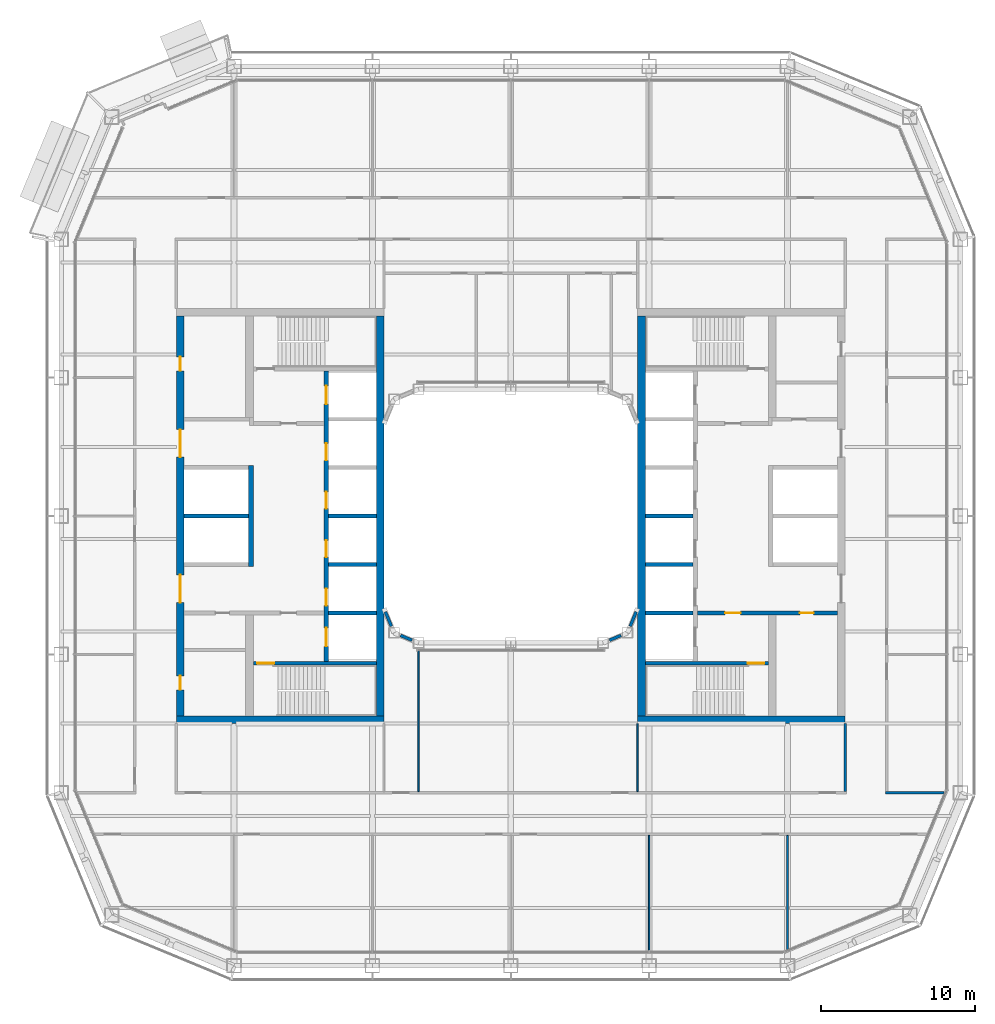
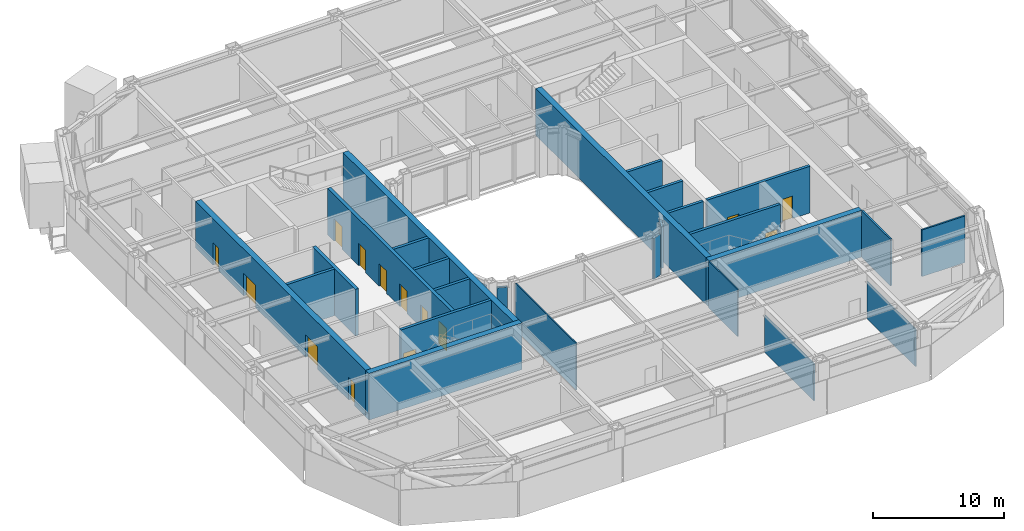
# One storey, part 12 of 23: 27 walls, 14 doors, 14 openings.
"""IFC4 building model written with IfcOpenShell, lengths in metres."""

from ifc_helpers import new_model, si_unit, direction, frame, frame_2d, origin, place, context, subcontext, project, spatial, rectangle, extrude, material, layer, layer_set, type_object, element, fill, save


model = new_model("IFC4")

# Units and contexts
model_context = context("Model", 3, precision=1e-05, world=origin(), true_north=direction((0.0, 1.0)))
body_context = subcontext(model_context, "Body", "Model", "MODEL_VIEW")
ifc_project = project(units=[si_unit("LENGTHUNIT", "METRE"), si_unit("AREAUNIT", "SQUARE_METRE"), si_unit("VOLUMEUNIT", "CUBIC_METRE"), si_unit("PLANEANGLEUNIT", "RADIAN"), si_unit("MASSUNIT", "GRAM", prefix="KILO")], contexts=[model_context])

# Site, building, storey
site_placement = place(None, origin())
site = spatial("IfcSite", under=ifc_project, at=site_placement, CompositionType="ELEMENT")
building_placement = place(site_placement, origin())
building = spatial("IfcBuilding", under=site, at=building_placement, Name="Siwar Civic Tower", CompositionType="ELEMENT")
storey_placement = place(building_placement, frame((0.0, 0.0, 118.199951171875)))
storey = spatial("IfcBuildingStorey", under=building, at=storey_placement, Name="L25", CompositionType="ELEMENT", Elevation=118.199951171875)

# Walls
ifc_material_1 = material(Name="Concrete C60/75", Category="concrete")
ifc_layer_1 = layer(ifc_material_1, 0.25)
ifc_layer_set_1 = layer_set([ifc_layer_1], Name="Concrete C60/75")
wall_type_1 = type_object("IfcWallType", Name="CORE-WALL-RC250", PredefinedType="SHEAR", material=ifc_layer_set_1)
wall_1_placement = place(storey_placement, frame((-17.050048828125, 0.0, 0.0), z_axis=(0.0, 0.0, 1.0), x_axis=(-1.0, 0.0, 0.0)))
element("IfcWall", 1, at=wall_1_placement, inside=storey, type_object=wall_type_1, Name="Core wall W", PredefinedType="SHEAR", context=body_context, shape_type="SweptSolid", body=[
    extrude(rectangle(XDim=4.199951171875, YDim=0.25, at=frame_2d((2.10009765625, 0.0))), origin(), (0.0, 0.0, 1.0), 4.35009765625),
])
for number, where, z_axis, x_axis, name in (
    (2, (-8.75, 0.0, 0.0), (0.0, 0.0, 1.0), (-1.0, 0.0, 0.0), "Core wall W"),
    (3, (-8.75, -3.14990234375, 0.0), (0.0, 0.0, 1.0), (-1.0, 0.0, 0.0), "Core wall W"),
    (4, (-8.75, -6.300048828125, 0.0), (0.0, 0.0, 1.0), (-1.0, 0.0, 0.0), "Core wall W"),
):
    element("IfcWall", number, at=place(storey_placement, frame(where, z_axis=z_axis, x_axis=x_axis)), inside=storey, type_object=wall_type_1, Name=name, PredefinedType="SHEAR", context=body_context, shape_type="SweptSolid", body=[
        extrude(rectangle(XDim=3.10009765625, YDim=0.25, at=frame_2d((1.550048828125, 0.0))), origin(), (0.0, 0.0, 1.0), 4.35009765625),
    ])

# Wall, opening, door
wall_2_placement = place(storey_placement, frame((-8.75, -9.574951171875, 0.0), z_axis=(0.0, 0.0, 1.0), x_axis=(-1.0, 0.0, 0.0)))
wall_2 = element("IfcWall", 5, at=wall_2_placement, inside=storey, type_object=wall_type_1, Name="Core wall W", PredefinedType="SHEAR", context=body_context, shape_type="SweptSolid", body=[
    extrude(rectangle(XDim=8.0, YDim=0.25, at=frame_2d((4.0, 0.0))), origin(), (0.0, 0.0, 1.0), 4.35009765625),
])
opening_1_placement = place(wall_2_placement, frame((6.64990234375, 0.0, 0.0)))
opening_1 = element("IfcOpeningElement", 6, at=opening_1_placement, cuts=wall_2, Name="Opening L25-CW04", PredefinedType="OPENING", context=body_context, shape_type="SweptSolid", body=[
    extrude(rectangle(XDim=1.10009765625, YDim=2.10009765625, at=frame_2d((0.550048828125, 1.050048828125))), frame((0.0, 0.135009765625, 0.0), z_axis=(0.0, -1.0, 0.0), x_axis=(1.0, 0.0, 0.0)), (0.0, 0.0, 1.0), 0.27001953125),
])
ifc_material_2 = material(Name="Steel door leaf", Category="steel")
door_type_1 = type_object("IfcDoorType", Name="CORE-DOOR-FD60S", OperationType="SINGLE_SWING_LEFT", PredefinedType="DOOR", material=ifc_material_2)
door_1_placement = place(opening_1_placement, origin())
door_1 = element("IfcDoor", 7, at=door_1_placement, inside=storey, type_object=door_type_1, Name="Stair door L25-CW04", OperationType="SINGLE_SWING_LEFT", OverallHeight=2.10009765625, OverallWidth=1.10009765625, PredefinedType="DOOR", context=body_context, shape_type="SweptSolid", body=[
    extrude(rectangle(XDim=1.10009765625, YDim=2.10009765625, at=frame_2d((0.550048828125, 1.050048828125))), frame((0.0, 0.02490234375, 0.0), z_axis=(0.0, -1.0, 0.0), x_axis=(1.0, 0.0, 0.0)), (0.0, 0.0, 1.0), 0.050048828125),
])
fill(opening_1, door_1)

# Wall, openings, doors
wall_3_placement = place(storey_placement, frame((12.14990234375, -6.300048828125, 0.0), z_axis=(0.0, 0.0, 1.0), x_axis=(1.0, 0.0, 0.0)))
wall_3 = element("IfcWall", 8, at=wall_3_placement, inside=storey, type_object=wall_type_1, Name="Core wall E", PredefinedType="SHEAR", context=body_context, shape_type="SweptSolid", body=[
    extrude(rectangle(XDim=9.10009765625, YDim=0.25, at=frame_2d((4.550048828125, 0.0))), origin(), (0.0, 0.0, 1.0), 4.35009765625),
])
opening_2_placement = place(wall_3_placement, frame((1.800048828125, 0.0, 0.0)))
opening_2 = element("IfcOpeningElement", 9, at=opening_2_placement, cuts=wall_3, Name="Opening L25-CE02", PredefinedType="OPENING", context=body_context, shape_type="SweptSolid", body=[
    extrude(rectangle(XDim=1.0, YDim=2.10009765625, at=frame_2d((0.5, 1.050048828125))), frame((0.0, 0.135009765625, 0.0), z_axis=(0.0, -1.0, 0.0), x_axis=(1.0, 0.0, 0.0)), (0.0, 0.0, 1.0), 0.27001953125),
])
opening_3_placement = place(wall_3_placement, frame((6.64990234375, 0.0, 0.0)))
opening_3 = element("IfcOpeningElement", 10, at=opening_3_placement, cuts=wall_3, Name="Opening L25-CE15", PredefinedType="OPENING", context=body_context, shape_type="SweptSolid", body=[
    extrude(rectangle(XDim=0.89990234375, YDim=2.10009765625, at=frame_2d((0.449951171875, 1.050048828125))), frame((0.0, 0.135009765625, 0.0), z_axis=(0.0, -1.0, 0.0), x_axis=(1.0, 0.0, 0.0)), (0.0, 0.0, 1.0), 0.27001953125),
])
ifc_material_3 = material(Name="Steel door leaf", Category="steel")
door_type_2 = type_object("IfcDoorType", Name="CORE-DOOR-FD30S", OperationType="SINGLE_SWING_LEFT", PredefinedType="DOOR", material=ifc_material_3)
door_2_placement = place(opening_2_placement, origin())
door_2 = element("IfcDoor", 11, at=door_2_placement, inside=storey, type_object=door_type_2, Name="Service lobby door L25-CE02", OperationType="SINGLE_SWING_LEFT", OverallHeight=2.10009765625, OverallWidth=1.0, PredefinedType="DOOR", context=body_context, shape_type="SweptSolid", body=[
    extrude(rectangle(XDim=1.0, YDim=2.10009765625, at=frame_2d((0.5, 1.050048828125))), frame((0.0, 0.02490234375, 0.0), z_axis=(0.0, -1.0, 0.0), x_axis=(1.0, 0.0, 0.0)), (0.0, 0.0, 1.0), 0.050048828125),
])
fill(opening_2, door_2)
ifc_material_4 = material(Name="Steel door leaf", Category="steel")
door_type_3 = type_object("IfcDoorType", Name="CORE-DOOR-ROOM", OperationType="SINGLE_SWING_LEFT", PredefinedType="DOOR", material=ifc_material_4)
door_3_placement = place(opening_3_placement, origin())
door_3 = element("IfcDoor", 12, at=door_3_placement, inside=storey, type_object=door_type_3, Name="Core room door L25-CE15", OperationType="SINGLE_SWING_LEFT", OverallHeight=2.10009765625, OverallWidth=0.89990234375, PredefinedType="DOOR", context=body_context, shape_type="SweptSolid", body=[
    extrude(rectangle(XDim=0.89990234375, YDim=2.10009765625, at=frame_2d((0.449951171875, 1.050048828125))), frame((0.0, 0.02490234375, 0.0), z_axis=(0.0, -1.0, 0.0), x_axis=(1.0, 0.0, 0.0)), (0.0, 0.0, 1.0), 0.050048828125),
])
fill(opening_3, door_3)

# Walls
for number, where, z_axis, x_axis, name in (
    (13, (8.75, 0.0, 0.0), (0.0, 0.0, 1.0), (1.0, 0.0, 0.0), "Core wall E"),
    (14, (8.75, -3.14990234375, 0.0), (0.0, 0.0, 1.0), (1.0, 0.0, 0.0), "Core wall E"),
    (15, (8.75, -6.300048828125, 0.0), (0.0, 0.0, 1.0), (1.0, 0.0, 0.0), "Core wall E"),
):
    element("IfcWall", number, at=place(storey_placement, frame(where, z_axis=z_axis, x_axis=x_axis)), inside=storey, type_object=wall_type_1, Name=name, PredefinedType="SHEAR", context=body_context, shape_type="SweptSolid", body=[
        extrude(rectangle(XDim=3.10009765625, YDim=0.25, at=frame_2d((1.550048828125, 0.0))), origin(), (0.0, 0.0, 1.0), 4.35009765625),
    ])

# Wall, opening, door
wall_4_placement = place(storey_placement, frame((8.75, -9.574951171875, 0.0), z_axis=(0.0, 0.0, 1.0), x_axis=(1.0, 0.0, 0.0)))
wall_4 = element("IfcWall", 16, at=wall_4_placement, inside=storey, type_object=wall_type_1, Name="Core wall E", PredefinedType="SHEAR", context=body_context, shape_type="SweptSolid", body=[
    extrude(rectangle(XDim=8.0, YDim=0.25, at=frame_2d((4.0, 0.0))), origin(), (0.0, 0.0, 1.0), 4.35009765625),
])
opening_4_placement = place(wall_4_placement, frame((6.64990234375, 0.0, 0.0)))
opening_4 = element("IfcOpeningElement", 17, at=opening_4_placement, cuts=wall_4, Name="Opening L25-CE04", PredefinedType="OPENING", context=body_context, shape_type="SweptSolid", body=[
    extrude(rectangle(XDim=1.10009765625, YDim=2.10009765625, at=frame_2d((0.550048828125, 1.050048828125))), frame((0.0, 0.135009765625, 0.0), z_axis=(0.0, -1.0, 0.0), x_axis=(1.0, 0.0, 0.0)), (0.0, 0.0, 1.0), 0.27001953125),
])
door_4_placement = place(opening_4_placement, origin())
door_4 = element("IfcDoor", 18, at=door_4_placement, inside=storey, type_object=door_type_1, Name="Stair door L25-CE04", OperationType="SINGLE_SWING_RIGHT", OverallHeight=2.10009765625, OverallWidth=1.10009765625, PredefinedType="DOOR", context=body_context, shape_type="SweptSolid", body=[
    extrude(rectangle(XDim=1.10009765625, YDim=2.10009765625, at=frame_2d((0.550048828125, 1.050048828125))), frame((0.0, 0.02490234375, 0.0), z_axis=(0.0, -1.0, 0.0), x_axis=(1.0, 0.0, 0.0)), (0.0, 0.0, 1.0), 0.050048828125),
])
fill(opening_4, door_4)

# Wall, openings, doors
ifc_material_5 = material(Name="Concrete C60/75", Category="concrete")
ifc_layer_2 = layer(ifc_material_5, 0.300048828125)
ifc_layer_set_2 = layer_set([ifc_layer_2], Name="Concrete C60/75")
wall_type_2 = type_object("IfcWallType", Name="CORE-WALL-RC300", PredefinedType="SHEAR", material=ifc_layer_set_2)
wall_5_placement = place(storey_placement, frame((-12.0, -9.449951171875, 0.0), z_axis=(0.0, 0.0, 1.0), x_axis=(0.0, 1.0, 0.0)))
wall_5 = element("IfcWall", 19, at=wall_5_placement, inside=storey, type_object=wall_type_2, Name="Core wall W", PredefinedType="SHEAR", context=body_context, shape_type="SweptSolid", body=[
    extrude(rectangle(XDim=18.89990234375, YDim=0.300048828125, at=frame_2d((9.449951171875, 0.0))), origin(), (0.0, 0.0, 1.0), 4.35009765625),
])
opening_5_placement = place(wall_5_placement, frame((3.625, 0.0, 0.0)))
opening_5 = element("IfcOpeningElement", 20, at=opening_5_placement, cuts=wall_5, Name="Opening L25-CW07", PredefinedType="OPENING", context=body_context, shape_type="SweptSolid", body=[
    extrude(rectangle(XDim=1.10009765625, YDim=2.10009765625, at=frame_2d((0.550048828125, 1.050048828125))), frame((0.0, 0.16015625, 0.0), z_axis=(0.0, -1.0, 0.0), x_axis=(1.0, 0.0, 0.0)), (0.0, 0.0, 1.0), 0.320068359375),
])
opening_6_placement = place(wall_5_placement, frame((6.77490234375, 0.0, 0.0)))
opening_6 = element("IfcOpeningElement", 21, at=opening_6_placement, cuts=wall_5, Name="Opening L25-CW08", PredefinedType="OPENING", context=body_context, shape_type="SweptSolid", body=[
    extrude(rectangle(XDim=1.10009765625, YDim=2.10009765625, at=frame_2d((0.550048828125, 1.050048828125))), frame((0.0, 0.16015625, 0.0), z_axis=(0.0, -1.0, 0.0), x_axis=(1.0, 0.0, 0.0)), (0.0, 0.0, 1.0), 0.320068359375),
])
opening_7_placement = place(wall_5_placement, frame((9.925048828125, 0.0, 0.0)))
opening_7 = element("IfcOpeningElement", 22, at=opening_7_placement, cuts=wall_5, Name="Opening L25-CW09", PredefinedType="OPENING", context=body_context, shape_type="SweptSolid", body=[
    extrude(rectangle(XDim=1.10009765625, YDim=2.10009765625, at=frame_2d((0.550048828125, 1.050048828125))), frame((0.0, 0.16015625, 0.0), z_axis=(0.0, -1.0, 0.0), x_axis=(1.0, 0.0, 0.0)), (0.0, 0.0, 1.0), 0.320068359375),
])
opening_8_placement = place(wall_5_placement, frame((13.074951171875, 0.0, 0.0)))
opening_8 = element("IfcOpeningElement", 23, at=opening_8_placement, cuts=wall_5, Name="Opening L25-CW10", PredefinedType="OPENING", context=body_context, shape_type="SweptSolid", body=[
    extrude(rectangle(XDim=1.10009765625, YDim=2.10009765625, at=frame_2d((0.550048828125, 1.050048828125))), frame((0.0, 0.16015625, 0.0), z_axis=(0.0, -1.0, 0.0), x_axis=(1.0, 0.0, 0.0)), (0.0, 0.0, 1.0), 0.320068359375),
])
opening_9_placement = place(wall_5_placement, frame((16.72509765625, 0.0, 0.0)))
opening_9 = element("IfcOpeningElement", 24, at=opening_9_placement, cuts=wall_5, Name="Opening L25-CW11", PredefinedType="OPENING", context=body_context, shape_type="SweptSolid", body=[
    extrude(rectangle(XDim=1.199951171875, YDim=2.10009765625, at=frame_2d((0.60009765625, 1.050048828125))), frame((0.0, 0.16015625, 0.0), z_axis=(0.0, -1.0, 0.0), x_axis=(1.0, 0.0, 0.0)), (0.0, 0.0, 1.0), 0.320068359375),
])
opening_10_placement = place(wall_5_placement, frame((0.97509765625, 0.0, 0.0)))
opening_10 = element("IfcOpeningElement", 25, at=opening_10_placement, cuts=wall_5, Name="Opening L25-CW12", PredefinedType="OPENING", context=body_context, shape_type="SweptSolid", body=[
    extrude(rectangle(XDim=1.199951171875, YDim=2.10009765625, at=frame_2d((0.60009765625, 1.050048828125))), frame((0.0, 0.16015625, 0.0), z_axis=(0.0, -1.0, 0.0), x_axis=(1.0, 0.0, 0.0)), (0.0, 0.0, 1.0), 0.320068359375),
])
ifc_material_6 = material(Name="Steel door leaf", Category="steel")
door_type_4 = type_object("IfcDoorType", Name="CORE-DOOR-LD", OperationType="DOUBLE_DOOR_SLIDING", PredefinedType="DOOR", material=ifc_material_6)
door_5_placement = place(opening_5_placement, origin())
door_5 = element("IfcDoor", 26, at=door_5_placement, inside=storey, type_object=door_type_4, Name="Landing door LR1 L25-CW07", OperationType="DOUBLE_DOOR_SLIDING", OverallHeight=2.10009765625, OverallWidth=1.10009765625, PredefinedType="DOOR", context=body_context, shape_type="SweptSolid", body=[
    extrude(rectangle(XDim=1.10009765625, YDim=2.10009765625, at=frame_2d((0.550048828125, 1.050048828125))), frame((0.0, 0.02490234375, 0.0), z_axis=(0.0, -1.0, 0.0), x_axis=(1.0, 0.0, 0.0)), (0.0, 0.0, 1.0), 0.050048828125),
])
fill(opening_5, door_5)
door_6_placement = place(opening_6_placement, origin())
door_6 = element("IfcDoor", 27, at=door_6_placement, inside=storey, type_object=door_type_4, Name="Landing door LR2 L25-CW08", OperationType="DOUBLE_DOOR_SLIDING", OverallHeight=2.10009765625, OverallWidth=1.10009765625, PredefinedType="DOOR", context=body_context, shape_type="SweptSolid", body=[
    extrude(rectangle(XDim=1.10009765625, YDim=2.10009765625, at=frame_2d((0.550048828125, 1.050048828125))), frame((0.0, 0.02490234375, 0.0), z_axis=(0.0, -1.0, 0.0), x_axis=(1.0, 0.0, 0.0)), (0.0, 0.0, 1.0), 0.050048828125),
])
fill(opening_6, door_6)
door_7_placement = place(opening_7_placement, origin())
door_7 = element("IfcDoor", 28, at=door_7_placement, inside=storey, type_object=door_type_4, Name="Landing door LR3 L25-CW09", OperationType="DOUBLE_DOOR_SLIDING", OverallHeight=2.10009765625, OverallWidth=1.10009765625, PredefinedType="DOOR", context=body_context, shape_type="SweptSolid", body=[
    extrude(rectangle(XDim=1.10009765625, YDim=2.10009765625, at=frame_2d((0.550048828125, 1.050048828125))), frame((0.0, 0.02490234375, 0.0), z_axis=(0.0, -1.0, 0.0), x_axis=(1.0, 0.0, 0.0)), (0.0, 0.0, 1.0), 0.050048828125),
])
fill(opening_7, door_7)
door_8_placement = place(opening_8_placement, origin())
door_8 = element("IfcDoor", 29, at=door_8_placement, inside=storey, type_object=door_type_4, Name="Landing door LR4 L25-CW10", OperationType="DOUBLE_DOOR_SLIDING", OverallHeight=2.10009765625, OverallWidth=1.10009765625, PredefinedType="DOOR", context=body_context, shape_type="SweptSolid", body=[
    extrude(rectangle(XDim=1.10009765625, YDim=2.10009765625, at=frame_2d((0.550048828125, 1.050048828125))), frame((0.0, 0.02490234375, 0.0), z_axis=(0.0, -1.0, 0.0), x_axis=(1.0, 0.0, 0.0)), (0.0, 0.0, 1.0), 0.050048828125),
])
fill(opening_8, door_8)
ifc_material_7 = material(Name="Steel door leaf", Category="steel")
door_type_5 = type_object("IfcDoorType", Name="CORE-DOOR-LDW", OperationType="DOUBLE_DOOR_SLIDING", PredefinedType="DOOR", material=ifc_material_7)
door_9_placement = place(opening_9_placement, origin())
door_9 = element("IfcDoor", 30, at=door_9_placement, inside=storey, type_object=door_type_5, Name="Landing door FF1 L25-CW11", OperationType="DOUBLE_DOOR_SLIDING", OverallHeight=2.10009765625, OverallWidth=1.199951171875, PredefinedType="DOOR", context=body_context, shape_type="SweptSolid", body=[
    extrude(rectangle(XDim=1.199951171875, YDim=2.10009765625, at=frame_2d((0.60009765625, 1.050048828125))), frame((0.0, 0.02490234375, 0.0), z_axis=(0.0, -1.0, 0.0), x_axis=(1.0, 0.0, 0.0)), (0.0, 0.0, 1.0), 0.050048828125),
])
fill(opening_9, door_9)
door_10_placement = place(opening_10_placement, origin())
door_10 = element("IfcDoor", 31, at=door_10_placement, inside=storey, type_object=door_type_5, Name="Landing door SV1 L25-CW12", OperationType="DOUBLE_DOOR_SLIDING", OverallHeight=2.10009765625, OverallWidth=1.199951171875, PredefinedType="DOOR", context=body_context, shape_type="SweptSolid", body=[
    extrude(rectangle(XDim=1.199951171875, YDim=2.10009765625, at=frame_2d((0.60009765625, 1.050048828125))), frame((0.0, 0.02490234375, 0.0), z_axis=(0.0, -1.0, 0.0), x_axis=(1.0, 0.0, 0.0)), (0.0, 0.0, 1.0), 0.050048828125),
])
fill(opening_10, door_10)

# Wall
wall_6_placement = place(storey_placement, frame((-16.89990234375, -3.27490234375, 0.0), z_axis=(0.0, 0.0, 1.0), x_axis=(0.0, 1.0, 0.0)))
element("IfcWall", 32, at=wall_6_placement, inside=storey, type_object=wall_type_2, Name="Core wall W", PredefinedType="SHEAR", context=body_context, shape_type="SweptSolid", body=[
    extrude(rectangle(XDim=6.5498046875, YDim=0.300048828125, at=frame_2d((3.27490234375, 0.0))), origin(), (0.0, 0.0, 1.0), 4.35009765625),
])

# Wall, openings, doors
ifc_material_8 = material(Name="Concrete C60/75", Category="concrete")
ifc_layer_3 = layer(ifc_material_8, 0.5)
ifc_layer_set_3 = layer_set([ifc_layer_3], Name="Concrete C60/75")
wall_type_3 = type_object("IfcWallType", Name="CORE-WALL-RC500", PredefinedType="SHEAR", material=ifc_layer_set_3)
wall_7_placement = place(storey_placement, frame((-21.5, -13.0, 0.0), z_axis=(0.0, 0.0, 1.0), x_axis=(0.0, 1.0, 0.0)))
wall_7 = element("IfcWall", 33, at=wall_7_placement, inside=storey, type_object=wall_type_3, Name="Core wall W", PredefinedType="SHEAR", context=body_context, shape_type="SweptSolid", body=[
    extrude(rectangle(XDim=26.0, YDim=0.5, at=frame_2d((13.0, 0.0))), origin(), (0.0, 0.0, 1.0), 4.35009765625),
])
opening_11_placement = place(wall_7_placement, frame((16.824951171875, 0.0, 0.0)))
opening_11 = element("IfcOpeningElement", 34, at=opening_11_placement, cuts=wall_7, Name="Opening L25-CW05", PredefinedType="OPENING", context=body_context, shape_type="SweptSolid", body=[
    extrude(rectangle(XDim=1.800048828125, YDim=2.10009765625, at=frame_2d((0.89990234375, 1.050048828125))), frame((0.0, 0.260009765625, 0.0), z_axis=(0.0, -1.0, 0.0), x_axis=(1.0, 0.0, 0.0)), (0.0, 0.0, 1.0), 0.52001953125),
])
opening_12_placement = place(wall_7_placement, frame((7.375, 0.0, 0.0)))
opening_12 = element("IfcOpeningElement", 35, at=opening_12_placement, cuts=wall_7, Name="Opening L25-CW06", PredefinedType="OPENING", context=body_context, shape_type="SweptSolid", body=[
    extrude(rectangle(XDim=1.800048828125, YDim=2.10009765625, at=frame_2d((0.89990234375, 1.050048828125))), frame((0.0, 0.260009765625, 0.0), z_axis=(0.0, -1.0, 0.0), x_axis=(1.0, 0.0, 0.0)), (0.0, 0.0, 1.0), 0.52001953125),
])
opening_13_placement = place(wall_7_placement, frame((22.449951171875, 0.0, 0.0)))
opening_13 = element("IfcOpeningElement", 36, at=opening_13_placement, cuts=wall_7, Name="Opening L25-CW13", PredefinedType="OPENING", context=body_context, shape_type="SweptSolid", body=[
    extrude(rectangle(XDim=0.89990234375, YDim=2.10009765625, at=frame_2d((0.449951171875, 1.050048828125))), frame((0.0, 0.260009765625, 0.0), z_axis=(0.0, -1.0, 0.0), x_axis=(1.0, 0.0, 0.0)), (0.0, 0.0, 1.0), 0.52001953125),
])
opening_14_placement = place(wall_7_placement, frame((1.699951171875, 0.0, 0.0)))
opening_14 = element("IfcOpeningElement", 37, at=opening_14_placement, cuts=wall_7, Name="Opening L25-CW15", PredefinedType="OPENING", context=body_context, shape_type="SweptSolid", body=[
    extrude(rectangle(XDim=0.89990234375, YDim=2.10009765625, at=frame_2d((0.449951171875, 1.050048828125))), frame((0.0, 0.260009765625, 0.0), z_axis=(0.0, -1.0, 0.0), x_axis=(1.0, 0.0, 0.0)), (0.0, 0.0, 1.0), 0.52001953125),
])
ifc_material_9 = material(Name="Steel door leaf", Category="steel")
door_type_6 = type_object("IfcDoorType", Name="CORE-DOOR-PORT", OperationType="DOUBLE_DOOR_DOUBLE_SWING", PredefinedType="DOOR", material=ifc_material_9)
door_11_placement = place(opening_11_placement, origin())
door_11 = element("IfcDoor", 38, at=door_11_placement, inside=storey, type_object=door_type_6, Name="Core entrance door L25-CW05", OperationType="DOUBLE_DOOR_DOUBLE_SWING", OverallHeight=2.10009765625, OverallWidth=1.800048828125, PredefinedType="DOOR", context=body_context, shape_type="SweptSolid", body=[
    extrude(rectangle(XDim=1.800048828125, YDim=2.10009765625, at=frame_2d((0.89990234375, 1.050048828125))), frame((0.0, 0.02490234375, 0.0), z_axis=(0.0, -1.0, 0.0), x_axis=(1.0, 0.0, 0.0)), (0.0, 0.0, 1.0), 0.050048828125),
])
fill(opening_11, door_11)
door_12_placement = place(opening_12_placement, origin())
door_12 = element("IfcDoor", 39, at=door_12_placement, inside=storey, type_object=door_type_6, Name="Core entrance door L25-CW06", OperationType="DOUBLE_DOOR_DOUBLE_SWING", OverallHeight=2.10009765625, OverallWidth=1.800048828125, PredefinedType="DOOR", context=body_context, shape_type="SweptSolid", body=[
    extrude(rectangle(XDim=1.800048828125, YDim=2.10009765625, at=frame_2d((0.89990234375, 1.050048828125))), frame((0.0, 0.02490234375, 0.0), z_axis=(0.0, -1.0, 0.0), x_axis=(1.0, 0.0, 0.0)), (0.0, 0.0, 1.0), 0.050048828125),
])
fill(opening_12, door_12)
door_13_placement = place(opening_13_placement, origin())
door_13 = element("IfcDoor", 40, at=door_13_placement, inside=storey, type_object=door_type_3, Name="Core room door L25-CW13", OperationType="SINGLE_SWING_RIGHT", OverallHeight=2.10009765625, OverallWidth=0.89990234375, PredefinedType="DOOR", context=body_context, shape_type="SweptSolid", body=[
    extrude(rectangle(XDim=0.89990234375, YDim=2.10009765625, at=frame_2d((0.449951171875, 1.050048828125))), frame((0.0, 0.02490234375, 0.0), z_axis=(0.0, -1.0, 0.0), x_axis=(1.0, 0.0, 0.0)), (0.0, 0.0, 1.0), 0.050048828125),
])
fill(opening_13, door_13)
door_14_placement = place(opening_14_placement, origin())
door_14 = element("IfcDoor", 41, at=door_14_placement, inside=storey, type_object=door_type_3, Name="Core room door L25-CW15", OperationType="SINGLE_SWING_RIGHT", OverallHeight=2.10009765625, OverallWidth=0.89990234375, PredefinedType="DOOR", context=body_context, shape_type="SweptSolid", body=[
    extrude(rectangle(XDim=0.89990234375, YDim=2.10009765625, at=frame_2d((0.449951171875, 1.050048828125))), frame((0.0, 0.02490234375, 0.0), z_axis=(0.0, -1.0, 0.0), x_axis=(1.0, 0.0, 0.0)), (0.0, 0.0, 1.0), 0.050048828125),
])
fill(opening_14, door_14)

# Walls
for number, where, z_axis, x_axis, name in (
    (42, (-8.25, -13.25, 0.0), (0.0, 0.0, 1.0), (-1.0, 0.0, 0.0), "Core wall W"),
    (43, (8.25, -13.25, 0.0), (0.0, 0.0, 1.0), (1.0, 0.0, 0.0), "Core wall E"),
):
    element("IfcWall", number, at=place(storey_placement, frame(where, z_axis=z_axis, x_axis=x_axis)), inside=storey, type_object=wall_type_3, Name=name, PredefinedType="SHEAR", context=body_context, shape_type="SweptSolid", body=[
        extrude(rectangle(XDim=13.5, YDim=0.5, at=frame_2d((6.75, 0.0))), origin(), (0.0, 0.0, 1.0), 4.35009765625),
    ])
ifc_material_10 = material(Name="Concrete C60/75", Category="concrete")
ifc_layer_4 = layer(ifc_material_10, 0.5)
ifc_layer_set_4 = layer_set([ifc_layer_4], Name="Concrete C60/75")
wall_type_4 = type_object("IfcWallType", Name="CORE-WALL-RC500-EXT", PredefinedType="SHEAR", material=ifc_layer_set_4)
for number, where, z_axis, x_axis, name in (
    (44, (-8.5, -13.0, 0.0), (0.0, 0.0, 1.0), (0.0, 1.0, 0.0), "Core wall W"),
    (45, (8.5, -13.0, 0.0), (0.0, 0.0, 1.0), (0.0, 1.0, 0.0), "Core wall E"),
):
    element("IfcWall", number, at=place(storey_placement, frame(where, z_axis=z_axis, x_axis=x_axis)), inside=storey, type_object=wall_type_4, Name=name, PredefinedType="SHEAR", context=body_context, shape_type="SweptSolid", body=[
        extrude(rectangle(XDim=26.0, YDim=0.5, at=frame_2d((13.0, 0.0))), origin(), (0.0, 0.0, 1.0), 4.35009765625),
    ])
ifc_material_11 = material(Name="Gypsum board on steel studs", Category="steel")
ifc_layer_5 = layer(ifc_material_11, 0.14990234375)
ifc_layer_set_5 = layer_set([ifc_layer_5], Name="Gypsum board on steel studs")
wall_type_5 = type_object("IfcWallType", Name="CORRIDOR PARTITION 150 EI 30", PredefinedType="PARTITIONING", material=ifc_layer_set_5)
wall_8_placement = place(storey_placement, frame((24.375, -18.0, 0.0), z_axis=(0.0, 0.0, 1.0), x_axis=(1.0, 0.0, 0.0)))
element("IfcWall", 46, at=wall_8_placement, inside=storey, type_object=wall_type_5, Name="L25/wall/P04", PredefinedType="PARTITIONING", context=body_context, shape_type="SweptSolid", body=[
    extrude(rectangle(XDim=3.802978515625, YDim=0.14990234375, at=frame_2d((1.9013671875, 0.0))), origin(), (0.0, 0.0, 1.0), 4.35009765625),
])
wall_9_placement = place(storey_placement, frame((21.75, -17.925048828125, 0.0), z_axis=(0.0, 0.0, 1.0), x_axis=(0.0, 1.0, 0.0)))
element("IfcWall", 47, at=wall_9_placement, inside=storey, type_object=wall_type_5, Name="L25/wall/P39", PredefinedType="PARTITIONING", context=body_context, shape_type="SweptSolid", body=[
    extrude(rectangle(XDim=4.425048828125, YDim=0.14990234375, at=frame_2d((2.21240234375, 0.0))), origin(), (0.0, 0.0, 1.0), 4.35009765625),
])
ifc_material_12 = material(Name="Aluminium clad insulated panel", Category="aluminium")
ifc_layer_6 = layer(ifc_material_12, 0.199951171875)
ifc_layer_set_6 = layer_set([ifc_layer_6], Name="Aluminium clad insulated panel")
wall_type_6 = type_object("IfcWallType", Name="ENV-WALL-WELL", PredefinedType="STANDARD", material=ifc_layer_set_6)
wall_10_placement = place(storey_placement, frame((6.422607421875, -8.074951171875, 0.0), z_axis=(0.0, 0.0, 1.0), x_axis=(0.923817771127, 0.382832503518, 0.0)))
element("IfcWall", 48, at=wall_10_placement, inside=storey, type_object=wall_type_6, Name="Light well corner wall SE1", PredefinedType="STANDARD", context=body_context, shape_type="SweptSolid", body=[
    extrude(rectangle(XDim=0.807373046875, YDim=0.199951171875, at=frame_2d((0.40380859375, 0.0))), origin(), (0.0, 0.0, 1.0), 3.825927734375),
])
for number, where, z_axis, x_axis, name in (
    (49, (7.765869140625, -7.16845703125, 0.0), (0.0, 0.0, 1.0), (0.382769662028, 0.923843810301, 0.0), "Light well corner wall SE2"),
    (50, (-8.154296875, -6.23095703125, 0.0), (0.0, 0.0, 1.0), (0.382769662028, -0.923843810301, 0.0), "Light well corner wall SW1"),
):
    element("IfcWall", number, at=place(storey_placement, frame(where, z_axis=z_axis, x_axis=x_axis)), inside=storey, type_object=wall_type_6, Name=name, PredefinedType="STANDARD", context=body_context, shape_type="SweptSolid", body=[
        extrude(rectangle(XDim=1.014892578125, YDim=0.199951171875, at=frame_2d((0.50732421875, 0.0))), origin(), (0.0, 0.0, 1.0), 3.825927734375),
    ])
wall_11_placement = place(storey_placement, frame((-7.16845703125, -7.765869140625, 0.0), z_axis=(0.0, 0.0, 1.0), x_axis=(0.923817771127, -0.382832503518, 0.0)))
element("IfcWall", 51, at=wall_11_placement, inside=storey, type_object=wall_type_6, Name="Light well corner wall SW2", PredefinedType="STANDARD", context=body_context, shape_type="SweptSolid", body=[
    extrude(rectangle(XDim=0.807373046875, YDim=0.199951171875, at=frame_2d((0.40380859375, 0.0))), origin(), (0.0, 0.0, 1.0), 3.825927734375),
])
ifc_material_13 = material(Name="Gypsum board on steel studs", Category="steel")
ifc_layer_7 = layer(ifc_material_13, 0.10009765625)
ifc_layer_set_7 = layer_set([ifc_layer_7], Name="Gypsum board on steel studs")
wall_type_7 = type_object("IfcWallType", Name="PARTITION 100 GYPSUM", PredefinedType="PARTITIONING", material=ifc_layer_set_7)
wall_12_placement = place(storey_placement, frame((-6.0, -17.925048828125, 0.0), z_axis=(0.0, 0.0, 1.0), x_axis=(0.0, 1.0, 0.0)))
element("IfcWall", 52, at=wall_12_placement, inside=storey, type_object=wall_type_7, Name="L25/wall/P26", PredefinedType="PARTITIONING", context=body_context, shape_type="SweptSolid", body=[
    extrude(rectangle(XDim=9.275146484375, YDim=0.10009765625, at=frame_2d((4.6376953125, 0.0))), origin(), (0.0, 0.0, 1.0), 4.35009765625),
])
wall_13_placement = place(storey_placement, frame((8.25, -17.925048828125, 0.0), z_axis=(0.0, 0.0, 1.0), x_axis=(0.0, 1.0, 0.0)))
element("IfcWall", 53, at=wall_13_placement, inside=storey, type_object=wall_type_7, Name="L25/wall/P32", PredefinedType="PARTITIONING", context=body_context, shape_type="SweptSolid", body=[
    extrude(rectangle(XDim=4.425048828125, YDim=0.10009765625, at=frame_2d((2.21240234375, 0.0))), origin(), (0.0, 0.0, 1.0), 4.35009765625),
])
wall_14_placement = place(storey_placement, frame((9.0, -28.260009765625, 0.0), z_axis=(0.0, 0.0, 1.0), x_axis=(0.0, 1.0, 0.0)))
element("IfcWall", 54, at=wall_14_placement, inside=storey, type_object=wall_type_7, Name="L25/wall/P35", PredefinedType="PARTITIONING", context=body_context, shape_type="SweptSolid", body=[
    extrude(rectangle(XDim=7.485107421875, YDim=0.10009765625, at=frame_2d((3.74267578125, 0.0))), origin(), (0.0, 0.0, 1.0), 3.449951171875),
])
wall_15_placement = place(storey_placement, frame((18.0, -28.177978515625, 0.0), z_axis=(0.0, 0.0, 1.0), x_axis=(0.0, 1.0, 0.0)))
element("IfcWall", 55, at=wall_15_placement, inside=storey, type_object=wall_type_7, Name="L25/wall/P37", PredefinedType="PARTITIONING", context=body_context, shape_type="SweptSolid", body=[
    extrude(rectangle(XDim=7.403076171875, YDim=0.10009765625, at=frame_2d((3.70166015625, 0.0))), origin(), (0.0, 0.0, 1.0), 3.449951171875),
])

save(model, "model.ifc")
